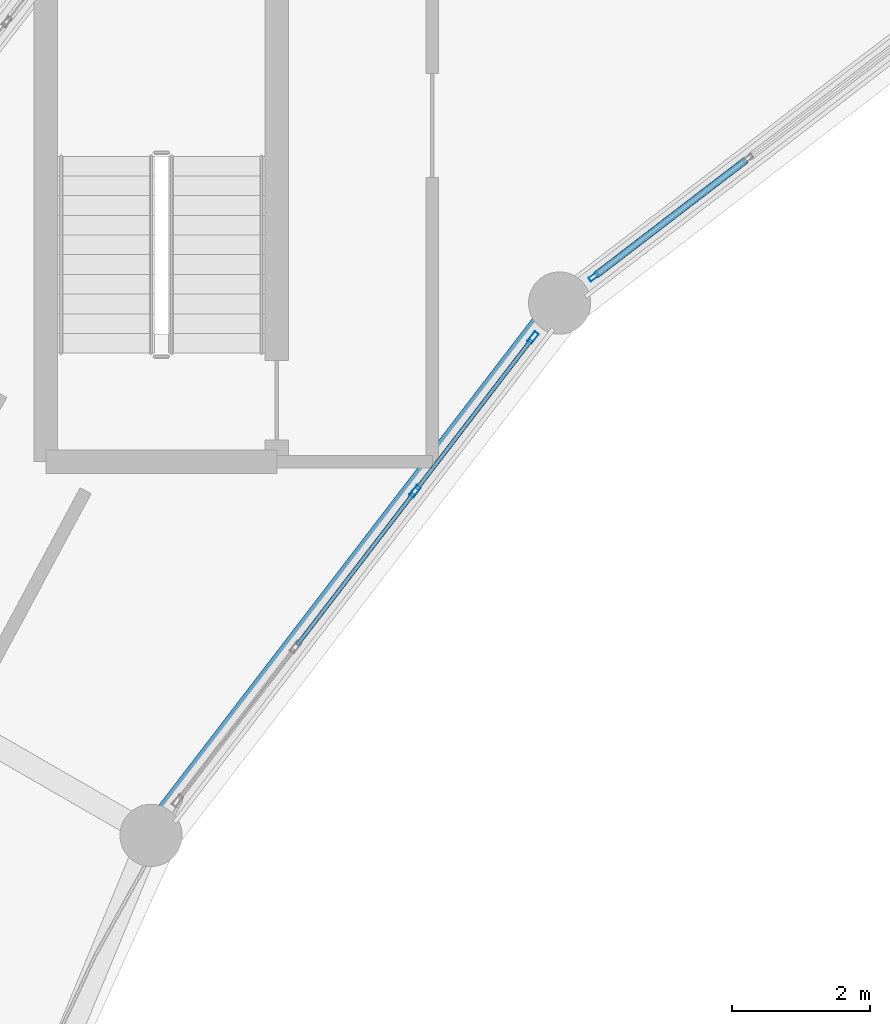
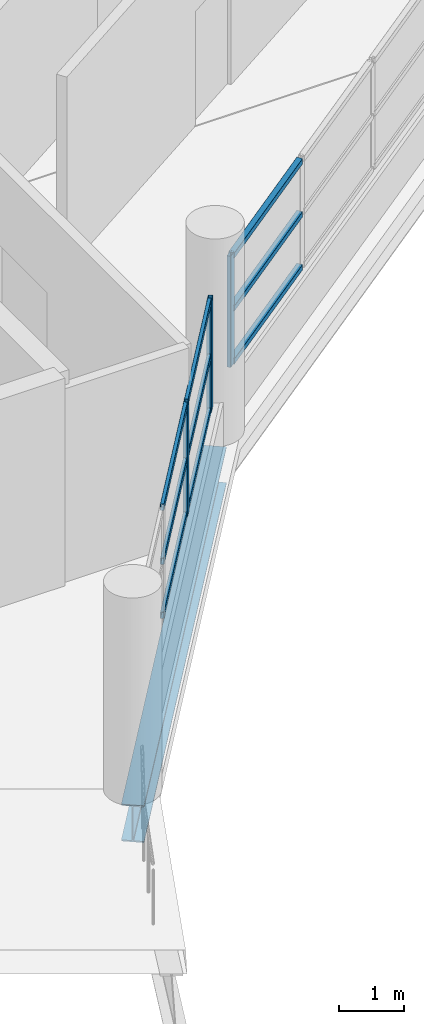
# One storey, part 36 of 88: 12 members, 1 beam, 2 elements without a shape of their own.
"""IFC4 building model written with IfcOpenShell, lengths in metres."""

from ifc_helpers import new_model, si_unit, direction, frame, origin, origin_2d, place, context, subcontext, project, spatial, hollow_rectangle, i_section, extrude, material, layer, layer_set, material_profile, profile_set, type_object, element, aggregate, save


model = new_model("IFC4")

# Units and contexts
model_context = context("Model", 3, precision=1e-05, world=origin(), true_north=direction((0.0, 1.0)))
body_context = subcontext(model_context, "Body", "Model", "MODEL_VIEW")
ifc_project = project(units=[si_unit("LENGTHUNIT", "METRE"), si_unit("AREAUNIT", "SQUARE_METRE"), si_unit("VOLUMEUNIT", "CUBIC_METRE"), si_unit("PLANEANGLEUNIT", "RADIAN"), si_unit("MASSUNIT", "GRAM", prefix="KILO")], contexts=[model_context])

# Site, building, storey
site_placement = place(None, origin())
site = spatial("IfcSite", under=ifc_project, at=site_placement, CompositionType="ELEMENT")
building_placement = place(site_placement, origin())
building = spatial("IfcBuilding", under=site, at=building_placement, Name="Vespera Passage Community Centre", CompositionType="ELEMENT")
storey_placement = place(building_placement, frame((0.0, 0.0, 16.5)))
storey = spatial("IfcBuildingStorey", under=building, at=storey_placement, Name="L04", CompositionType="ELEMENT", Elevation=16.5)

# Beam
ifc_material_1 = material(Name="Steel ASTM A992 Grade 50", Category="steel")
ifc_material_profile_1 = material_profile(ifc_material_1, i_section(OverallWidth=0.3544921875, OverallDepth=0.695556640625, WebThickness=0.015380859375, FlangeThickness=0.024658203125, FilletRadius=0.01513671875, at=origin_2d()), Name="W27X146")
ifc_profile_set_1 = profile_set([ifc_material_profile_1], Name="Steel ASTM A992 Grade 50")
beam_type = type_object("IfcBeamType", Name="BM-SP-W27X146E", PredefinedType="SPANDREL", material=ifc_profile_set_1)
beam_placement = place(storey_placement, frame((51.695556640625, 91.804443359375, -0.647705078125), z_axis=(-0.60875291963, -0.793359869694, 0.0), x_axis=(0.793359869694, -0.60875291963, 0.0)))
element("IfcBeam", 1, at=beam_placement, inside=storey, type_object=beam_type, Name="V4 L04 Inner Spandrel 9", PredefinedType="SPANDREL", context=body_context, shape_type="SweptSolid", body=[
    extrude(i_section(OverallWidth=0.3544921875, OverallDepth=0.695556640625, WebThickness=0.015380859375, FlangeThickness=0.024658203125, FilletRadius=0.01513671875, at=origin_2d()), origin(), (0.0, 0.0, 1.0), 9.7109375),
])

# Curtain wall, member
ifc_material_2 = material(Name="Anodized aluminium 6063-T6", Category="aluminium")
ifc_layer_1 = layer(ifc_material_2, 0.159912109375)
ifc_layer_set_1 = layer_set([ifc_layer_1], Name="Anodized aluminium 6063-T6")
curtain_wall_type_1 = type_object("IfcCurtainWallType", Name="CW-61E", PredefinedType="NOTDEFINED", material=ifc_layer_set_1)
curtain_wall_1_placement = place(storey_placement, origin())
curtain_wall_1 = element("IfcCurtainWall", 2, at=curtain_wall_1_placement, inside=storey, type_object=curtain_wall_type_1, Name="V4 L04 Inner Court Curtain Wall 8", PredefinedType="NOTDEFINED")
ifc_material_3 = material(Name="Anodized aluminium 6063-T6", Category="aluminium")
ifc_material_profile_2 = material_profile(ifc_material_3, hollow_rectangle(XDim=0.06494140625, YDim=0.14990234375, WallThickness=0.00390625, InnerFilletRadius=0.001953125, OuterFilletRadius=0.00390625, at=origin_2d()), Name="ALU150X65X4")
ifc_profile_set_2 = profile_set([ifc_material_profile_2], Name="Anodized aluminium 6063-T6")
member_type_1 = type_object("IfcMemberType", Name="MB-CWM-150E", PredefinedType="MULLION", material=ifc_profile_set_2)
member_1_placement = place(storey_placement, frame((52.19189453125, 92.185302734375, 0.820068359375), z_axis=(0.0, 0.0, 1.0), x_axis=(0.608755087843, -0.793358205999, 0.0)))
member_1 = element("IfcMember", 3, at=member_1_placement, type_object=member_type_1, Name="CW-61E mullion 4", PredefinedType="MULLION", context=body_context, shape_type="SweptSolid", body=[
    extrude(hollow_rectangle(XDim=0.06494140625, YDim=0.14990234375, WallThickness=0.00390625, InnerFilletRadius=0.001953125, OuterFilletRadius=0.00390625, at=origin_2d()), origin(), (0.0, 0.0, 1.0), 2.08935546875),
])

# Curtain wall, members
ifc_material_4 = material(Name="Anodized aluminium 6063-T6", Category="aluminium")
ifc_layer_2 = layer(ifc_material_4, 0.159912109375)
ifc_layer_set_2 = layer_set([ifc_layer_2], Name="Anodized aluminium 6063-T6")
curtain_wall_type_2 = type_object("IfcCurtainWallType", Name="CW-54E", PredefinedType="NOTDEFINED", material=ifc_layer_set_2)
curtain_wall_2_placement = place(storey_placement, origin())
curtain_wall_2 = element("IfcCurtainWall", 4, at=curtain_wall_2_placement, inside=storey, type_object=curtain_wall_type_2, Name="V4 L04 Inner Court Curtain Wall 9", PredefinedType="NOTDEFINED")
ifc_material_5 = material(Name="Anodized aluminium 6063-T6", Category="aluminium")
ifc_material_profile_3 = material_profile(ifc_material_5, hollow_rectangle(XDim=0.074951171875, YDim=0.179931640625, WallThickness=0.0048828125, InnerFilletRadius=0.00244140625, OuterFilletRadius=0.0048828125, at=origin_2d()), Name="ALU180X75X5")
ifc_profile_set_3 = profile_set([ifc_material_profile_3], Name="Anodized aluminium 6063-T6")
member_type_2 = type_object("IfcMemberType", Name="MB-CWM-180E", PredefinedType="MULLION", material=ifc_profile_set_3)
member_2_placement = place(storey_placement, frame((51.311767578125, 91.303955078125, 0.820068359375), z_axis=(0.0, 0.0, 1.0), x_axis=(0.793358205999, -0.608755087843, 0.0)))
member_2 = element("IfcMember", 5, at=member_2_placement, type_object=member_type_2, Name="CW-54E mullion 1", PredefinedType="MULLION", context=body_context, shape_type="SweptSolid", body=[
    extrude(hollow_rectangle(XDim=0.074951171875, YDim=0.179931640625, WallThickness=0.0048828125, InnerFilletRadius=0.00244140625, OuterFilletRadius=0.0048828125, at=origin_2d()), origin(), (0.0, 0.0, 1.0), 2.08935546875),
])
member_3_placement = place(storey_placement, frame((49.604736328125, 89.079345703125, 0.820068359375), z_axis=(0.0, 0.0, 1.0), x_axis=(0.793358205999, -0.608755087843, 0.0)))
member_3 = element("IfcMember", 6, at=member_3_placement, type_object=member_type_2, Name="CW-54E mullion 2", PredefinedType="MULLION", context=body_context, shape_type="SweptSolid", body=[
    extrude(hollow_rectangle(XDim=0.074951171875, YDim=0.179931640625, WallThickness=0.0048828125, InnerFilletRadius=0.00244140625, OuterFilletRadius=0.0048828125, at=origin_2d()), origin(), (0.0, 0.0, 1.0), 2.08935546875),
])

# Member
ifc_material_6 = material(Name="Anodized aluminium 6063-T6", Category="aluminium")
ifc_material_profile_4 = material_profile(ifc_material_6, hollow_rectangle(XDim=0.10009765625, YDim=0.10009765625, WallThickness=0.00390625, InnerFilletRadius=0.001953125, OuterFilletRadius=0.00390625, at=origin_2d()), Name="ALU100X100X4")
ifc_profile_set_4 = profile_set([ifc_material_profile_4], Name="Anodized aluminium 6063-T6")
member_type_3 = type_object("IfcMemberType", Name="MB-CWT-100E", PredefinedType="USERDEFINED", material=ifc_profile_set_4)
member_4_placement = place(storey_placement, frame((54.394775390625, 93.87548828125, 0.8701171875), z_axis=(-0.793364286906, -0.608747162837, 0.0), x_axis=(0.608747162837, -0.793364286906, 0.0)))
member_4 = element("IfcMember", 7, at=member_4_placement, type_object=member_type_3, Name="CW-61E transom 3.1", ObjectType="TRANSOM", PredefinedType="USERDEFINED", context=body_context, shape_type="SweptSolid", body=[
    extrude(hollow_rectangle(XDim=0.10009765625, YDim=0.10009765625, WallThickness=0.00390625, InnerFilletRadius=0.001953125, OuterFilletRadius=0.00390625, at=origin_2d()), origin(), (0.0, 0.0, 1.0), 2.743896484375),
])

member_5_placement = place(storey_placement, frame((54.394775390625, 93.87548828125, 1.86474609375), z_axis=(-0.793364286906, -0.608747162837, 0.0), x_axis=(0.608747162837, -0.793364286906, 0.0)))
member_5 = element("IfcMember", 8, at=member_5_placement, type_object=member_type_3, Name="CW-61E transom 3.2", ObjectType="TRANSOM", PredefinedType="USERDEFINED", context=body_context, shape_type="SweptSolid", body=[
    extrude(hollow_rectangle(XDim=0.10009765625, YDim=0.10009765625, WallThickness=0.00390625, InnerFilletRadius=0.001953125, OuterFilletRadius=0.00390625, at=origin_2d()), origin(), (0.0, 0.0, 1.0), 2.743896484375),
])

member_6_placement = place(storey_placement, frame((54.394775390625, 93.87548828125, 2.859375), z_axis=(-0.793364286906, -0.608747162837, 0.0), x_axis=(0.608747162837, -0.793364286906, 0.0)))
member_6 = element("IfcMember", 9, at=member_6_placement, type_object=member_type_3, Name="CW-61E transom 3.3", ObjectType="TRANSOM", PredefinedType="USERDEFINED", context=body_context, shape_type="SweptSolid", body=[
    extrude(hollow_rectangle(XDim=0.10009765625, YDim=0.10009765625, WallThickness=0.00390625, InnerFilletRadius=0.001953125, OuterFilletRadius=0.00390625, at=origin_2d()), origin(), (0.0, 0.0, 1.0), 2.743896484375),
])

aggregate(curtain_wall_1, [member_1, member_4, member_5, member_6])

ifc_material_7 = material(Name="Anodized aluminium 6063-T6", Category="aluminium")
ifc_material_profile_5 = material_profile(ifc_material_7, hollow_rectangle(XDim=0.06005859375, YDim=0.1201171875, WallThickness=0.00390625, InnerFilletRadius=0.001953125, OuterFilletRadius=0.00390625, at=origin_2d()), Name="ALU120X60X4")
ifc_profile_set_5 = profile_set([ifc_material_profile_5], Name="Anodized aluminium 6063-T6")
member_type_4 = type_object("IfcMemberType", Name="MB-CWT-120E", PredefinedType="USERDEFINED", material=ifc_profile_set_5)
member_7_placement = place(storey_placement, frame((51.288818359375, 91.2744140625, 0.85009765625), z_axis=(-0.608737609183, -0.793371617318, 0.0), x_axis=(0.793371617318, -0.608737609183, 0.0)))
member_7 = element("IfcMember", 10, at=member_7_placement, type_object=member_type_4, Name="CW-54E transom 1.1", ObjectType="TRANSOM", PredefinedType="USERDEFINED", context=body_context, shape_type="SweptSolid", body=[
    extrude(hollow_rectangle(XDim=0.06005859375, YDim=0.1201171875, WallThickness=0.00390625, InnerFilletRadius=0.001953125, OuterFilletRadius=0.00390625, at=origin_2d()), origin(), (0.0, 0.0, 1.0), 2.729248046875),
])

member_8_placement = place(storey_placement, frame((51.288818359375, 91.2744140625, 1.86474609375), z_axis=(-0.608737609183, -0.793371617318, 0.0), x_axis=(0.793371617318, -0.608737609183, 0.0)))
member_8 = element("IfcMember", 11, at=member_8_placement, type_object=member_type_4, Name="CW-54E transom 1.2", ObjectType="TRANSOM", PredefinedType="USERDEFINED", context=body_context, shape_type="SweptSolid", body=[
    extrude(hollow_rectangle(XDim=0.06005859375, YDim=0.1201171875, WallThickness=0.00390625, InnerFilletRadius=0.001953125, OuterFilletRadius=0.00390625, at=origin_2d()), origin(), (0.0, 0.0, 1.0), 2.729248046875),
])

member_9_placement = place(storey_placement, frame((51.288818359375, 91.2744140625, 2.87939453125), z_axis=(-0.608737609183, -0.793371617318, 0.0), x_axis=(0.793371617318, -0.608737609183, 0.0)))
member_9 = element("IfcMember", 12, at=member_9_placement, type_object=member_type_4, Name="CW-54E transom 1.3", ObjectType="TRANSOM", PredefinedType="USERDEFINED", context=body_context, shape_type="SweptSolid", body=[
    extrude(hollow_rectangle(XDim=0.06005859375, YDim=0.1201171875, WallThickness=0.00390625, InnerFilletRadius=0.001953125, OuterFilletRadius=0.00390625, at=origin_2d()), origin(), (0.0, 0.0, 1.0), 2.729248046875),
])

member_10_placement = place(storey_placement, frame((49.581787109375, 89.049560546875, 0.85009765625), z_axis=(-0.608746452695, -0.793364831796, 0.0), x_axis=(0.793364831796, -0.608746452695, 0.0)))
member_10 = element("IfcMember", 13, at=member_10_placement, type_object=member_type_4, Name="CW-54E transom 2.1", ObjectType="TRANSOM", PredefinedType="USERDEFINED", context=body_context, shape_type="SweptSolid", body=[
    extrude(hollow_rectangle(XDim=0.06005859375, YDim=0.1201171875, WallThickness=0.00390625, InnerFilletRadius=0.001953125, OuterFilletRadius=0.00390625, at=origin_2d()), origin(), (0.0, 0.0, 1.0), 2.766357421875),
])

member_11_placement = place(storey_placement, frame((49.581787109375, 89.049560546875, 1.86474609375), z_axis=(-0.608746452695, -0.793364831796, 0.0), x_axis=(0.793364831796, -0.608746452695, 0.0)))
member_11 = element("IfcMember", 14, at=member_11_placement, type_object=member_type_4, Name="CW-54E transom 2.2", ObjectType="TRANSOM", PredefinedType="USERDEFINED", context=body_context, shape_type="SweptSolid", body=[
    extrude(hollow_rectangle(XDim=0.06005859375, YDim=0.1201171875, WallThickness=0.00390625, InnerFilletRadius=0.001953125, OuterFilletRadius=0.00390625, at=origin_2d()), origin(), (0.0, 0.0, 1.0), 2.766357421875),
])

member_12_placement = place(storey_placement, frame((49.581787109375, 89.049560546875, 2.87939453125), z_axis=(-0.608746452695, -0.793364831796, 0.0), x_axis=(0.793364831796, -0.608746452695, 0.0)))
member_12 = element("IfcMember", 15, at=member_12_placement, type_object=member_type_4, Name="CW-54E transom 2.3", ObjectType="TRANSOM", PredefinedType="USERDEFINED", context=body_context, shape_type="SweptSolid", body=[
    extrude(hollow_rectangle(XDim=0.06005859375, YDim=0.1201171875, WallThickness=0.00390625, InnerFilletRadius=0.001953125, OuterFilletRadius=0.00390625, at=origin_2d()), origin(), (0.0, 0.0, 1.0), 2.766357421875),
])

aggregate(curtain_wall_2, [member_2, member_3, member_7, member_8, member_9, member_10, member_11, member_12])

save(model, "model.ifc")
